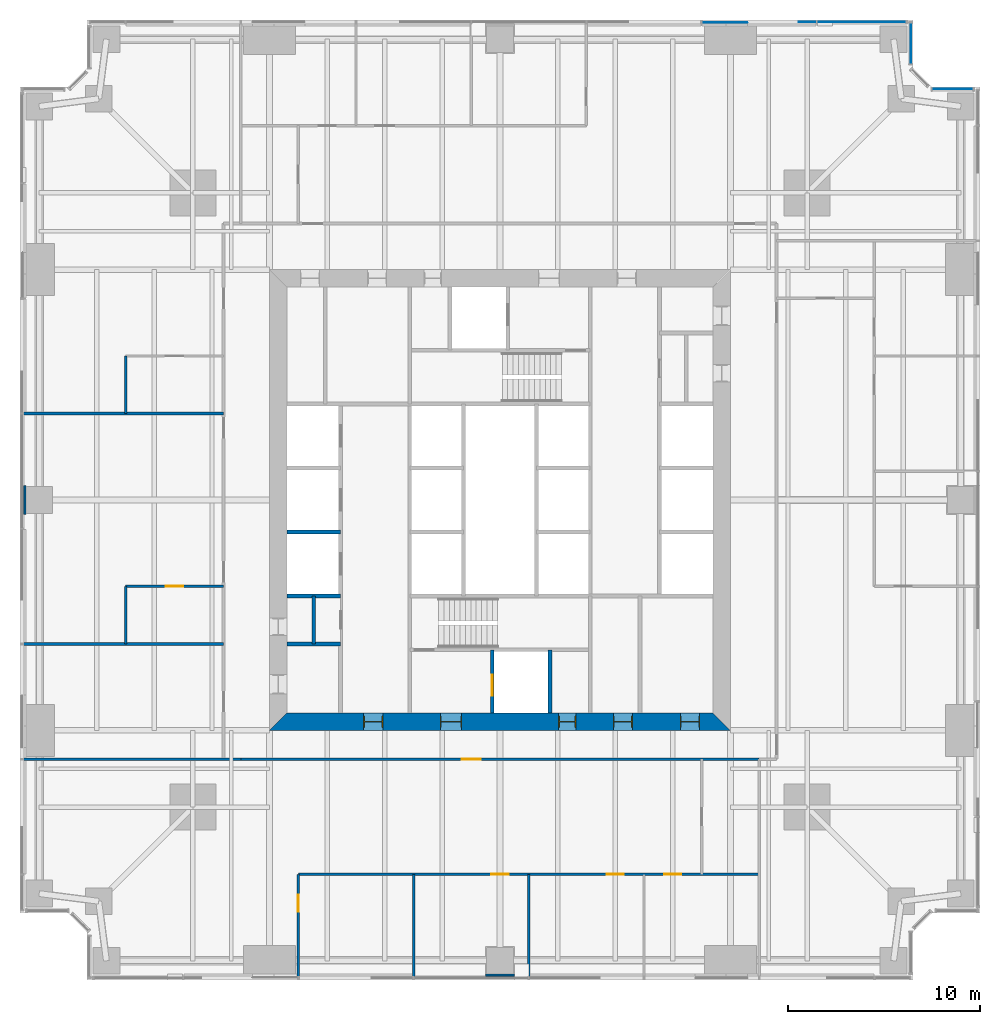
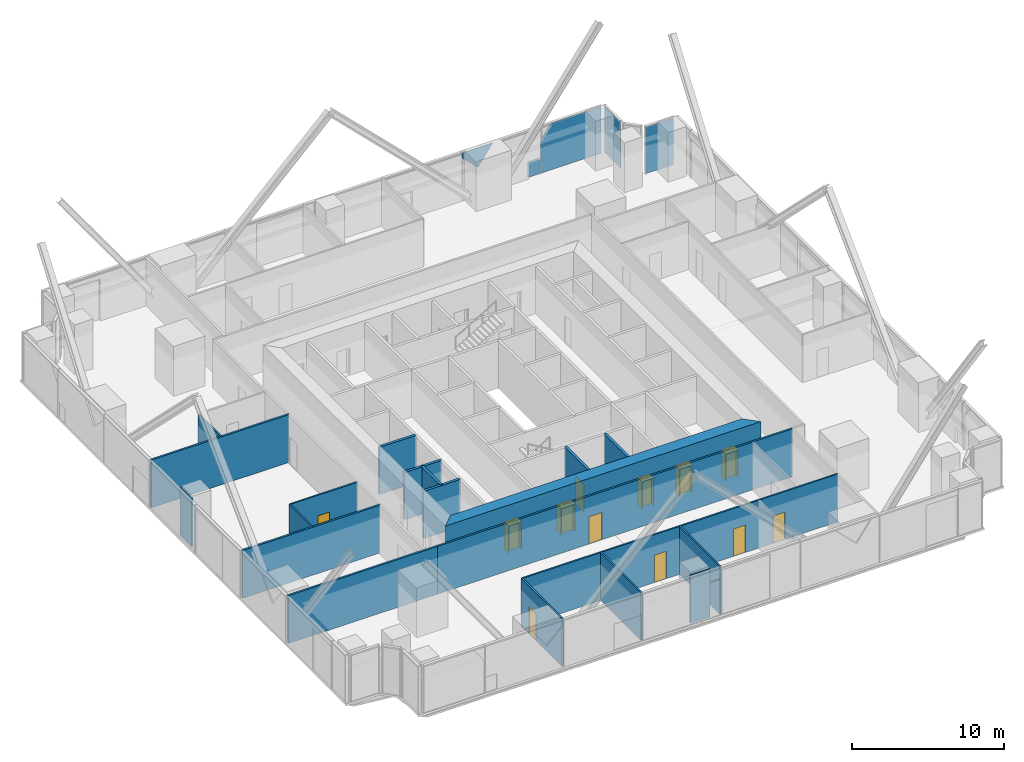
# One storey, part 9 of 14: 20 walls, 12 doors, 5 plates, 12 openings, 3 elements without a shape of their own.
"""IFC4 building model written with IfcOpenShell, lengths in metres."""

from ifc_helpers import new_model, si_unit, direction, frame, frame_2d, origin, origin_2d, place, context, subcontext, project, spatial, polyline, rectangle, outline, extrude, material, layer, layer_set, type_object, element, fill, aggregate, save


model = new_model("IFC4")

# Units and contexts
model_context = context("Model", 3, precision=1e-05, world=origin(), true_north=direction((0.0, 1.0)))
body_context = subcontext(model_context, "Body", "Model", "MODEL_VIEW")
ifc_project = project(units=[si_unit("LENGTHUNIT", "METRE"), si_unit("AREAUNIT", "SQUARE_METRE"), si_unit("VOLUMEUNIT", "CUBIC_METRE"), si_unit("PLANEANGLEUNIT", "RADIAN"), si_unit("MASSUNIT", "GRAM", prefix="KILO")], contexts=[model_context])

# Site, building, storey
site_placement = place(None, origin())
site = spatial("IfcSite", under=ifc_project, at=site_placement, CompositionType="ELEMENT")
building_placement = place(site_placement, origin())
building = spatial("IfcBuilding", under=site, at=building_placement, Name="Fenwick Lantern Interchange", CompositionType="ELEMENT")
storey_placement = place(building_placement, frame((0.0, 0.0, 79.0)))
storey = spatial("IfcBuildingStorey", under=building, at=storey_placement, Name="L18", CompositionType="ELEMENT", Elevation=79.0)

# Curtain wall, plate
ifc_material_1 = material(Name="Aluminium curtain wall frame", Category="aluminium")
curtain_wall_type = type_object("IfcCurtainWallType", Name="OFFICE CURTAIN WALL", PredefinedType="USERDEFINED", material=ifc_material_1)
curtain_wall_1_placement = place(storey_placement, origin())
curtain_wall_1 = element("IfcCurtainWall", 1, at=curtain_wall_1_placement, inside=storey, type_object=curtain_wall_type, Name="Office curtain wall 06", ObjectType="OFFICE CURTAIN WALL", PredefinedType="USERDEFINED")
ifc_material_2 = material(Name="Vision glass, clear low-iron double glazed", Category="glass")
ifc_layer_1 = layer(ifc_material_2, 0.031982421875)
ifc_layer_set_1 = layer_set([ifc_layer_1], Name="OFFICE CURTAIN WALL PANEL 32")
plate_type = type_object("IfcPlateType", Name="OFFICE CURTAIN WALL PANEL 32", PredefinedType="CURTAIN_PANEL", material=ifc_layer_set_1)
plate_1_placement = place(storey_placement, frame((48.579345703125, 46.39990234375, 0.0), z_axis=(0.0, 0.0, 1.0), x_axis=(-1.0, 0.0, 0.0)))
plate_1 = element("IfcPlate", 2, at=plate_1_placement, type_object=plate_type, Name="L18/CW/06/P00", PredefinedType="CURTAIN_PANEL", context=body_context, shape_type="SweptSolid", body=[
    extrude(rectangle(XDim=2.111328125, YDim=0.031982421875, at=origin_2d()), origin(), (0.0, 0.0, 1.0), 3.75),
])
aggregate(curtain_wall_1, [plate_1])

curtain_wall_2_placement = place(storey_placement, origin())
curtain_wall_2 = element("IfcCurtainWall", 3, at=curtain_wall_2_placement, inside=storey, type_object=curtain_wall_type, Name="Office curtain wall 08", ObjectType="OFFICE CURTAIN WALL", PredefinedType="USERDEFINED")
plate_2_placement = place(storey_placement, frame((46.39990234375, 48.779296875, 0.0), z_axis=(0.0, 0.0, 1.0), x_axis=(0.0, 1.0, 0.0)))
plate_2 = element("IfcPlate", 4, at=plate_2_placement, type_object=plate_type, Name="L18/CW/08/P00", PredefinedType="CURTAIN_PANEL", context=body_context, shape_type="SweptSolid", body=[
    extrude(rectangle(XDim=2.111328125, YDim=0.031982421875, at=origin_2d()), origin(), (0.0, 0.0, 1.0), 3.75),
])
aggregate(curtain_wall_2, [plate_2])

# Curtain wall, plates
curtain_wall_3_placement = place(storey_placement, origin())
curtain_wall_3 = element("IfcCurtainWall", 5, at=curtain_wall_3_placement, inside=storey, type_object=curtain_wall_type, Name="Office curtain wall 09", ObjectType="OFFICE CURTAIN WALL", PredefinedType="USERDEFINED")
plate_3_placement = place(storey_placement, frame((46.39990234375, 49.89990234375, 0.0), z_axis=(0.0, 0.0, 1.0), x_axis=(-1.0, 0.0, 0.0)))
plate_3 = element("IfcPlate", 6, at=plate_3_placement, type_object=plate_type, Name="L18/CW/09/P00a", PredefinedType="CURTAIN_PANEL", context=body_context, shape_type="SweptSolid", body=[
    extrude(outline(polyline([(0.264892578125, 0.0), (4.867431640625, 0.0), (4.867431640625, 2.63720703125), (4.07177734375, 3.75), (0.264892578125, 3.75), (0.264892578125, 0.0)])), frame((0.0, 0.01611328125, 0.0), z_axis=(0.0, -1.0, 0.0), x_axis=(1.0, 0.0, 0.0)), (0.0, 0.0, 1.0), 0.031982421875),
])
plate_4_placement = place(storey_placement, frame((46.39990234375, 49.89990234375, 0.0), z_axis=(0.0, 0.0, 1.0), x_axis=(-1.0, 0.0, 0.0)))
plate_4 = element("IfcPlate", 7, at=plate_4_placement, type_object=plate_type, Name="L18/CW/09/P01a", PredefinedType="CURTAIN_PANEL", context=body_context, shape_type="SweptSolid", body=[
    extrude(outline(polyline([(4.9326171875, 0.0), (5.842529296875, 0.0), (5.842529296875, 1.27392578125), (4.9326171875, 1.27392578125), (4.9326171875, 0.0)])), frame((0.0, 0.01611328125, 0.0), z_axis=(0.0, -1.0, 0.0), x_axis=(1.0, 0.0, 0.0)), (0.0, 0.0, 1.0), 0.031982421875),
])
plate_5_placement = place(storey_placement, frame((46.39990234375, 49.89990234375, 2.159912109375), z_axis=(0.0, 0.0, 1.0), x_axis=(-1.0, 0.0, 0.0)))
plate_5 = element("IfcPlate", 8, at=plate_5_placement, type_object=plate_type, Name="L18/CW/09/P01b", PredefinedType="CURTAIN_PANEL", context=body_context, shape_type="SweptSolid", body=[
    extrude(outline(polyline([(9.634765625, 0.0), (10.867431640625, 1.220947265625), (10.867431640625, 1.590087890625), (8.49755859375, 1.590087890625), (9.634765625, 0.0)])), frame((0.0, 0.0498046875, 0.0), z_axis=(0.0, -1.0, 0.0), x_axis=(1.0, 0.0, 0.0)), (0.0, 0.0, 1.0), 0.031982421875),
])
aggregate(curtain_wall_3, [plate_3, plate_4, plate_5])

# Walls
ifc_material_3 = material(Name="Fire-rated gypsum board encasement on steel studs, 2 hour", Category="steel")
ifc_layer_2 = layer(ifc_material_3, 1.5)
ifc_layer_set_2 = layer_set([ifc_layer_2], Name="COLUMN PIER 1500")
wall_type_1 = type_object("IfcWallType", Name="COLUMN PIER 1500", PredefinedType="PARTITIONING", material=ifc_layer_set_2)
for number, where, z_axis, x_axis, name in (
    (9, (25.0, 0.199951171875, 0.0), (0.0, 0.0, 1.0), (0.0, 1.0, 0.0), "L18/W/PIER/CS3"),
    (10, (0.199951171875, 25.0, 0.0), (0.0, 0.0, 1.0), (1.0, 0.0, 0.0), "L18/W/PIER/CW3"),
):
    element("IfcWall", number, at=place(storey_placement, frame(where, z_axis=z_axis, x_axis=x_axis)), inside=storey, type_object=wall_type_1, Name=name, PredefinedType="PARTITIONING", context=body_context, shape_type="SweptSolid", body=[
        extrude(rectangle(XDim=0.10009765625, YDim=1.5, at=frame_2d((0.050048828125, 0.0))), origin(), (0.0, 0.0, 1.0), 3.85009765625),
    ])
ifc_material_4 = material(Name="Concrete masonry ASTM C90 Grade N", Category="masonry")
ifc_layer_3 = layer(ifc_material_4, 0.199951171875)
ifc_layer_set_3 = layer_set([ifc_layer_3], Name="Concrete masonry ASTM C90 Grade N")
wall_type_2 = type_object("IfcWallType", Name="CORE PARTITION 200", PredefinedType="PARTITIONING", material=ifc_layer_set_3)
for number, where, z_axis, x_axis, name in (
    (11, (13.89990234375, 20.0, 0.0), (0.0, 0.0, 1.0), (1.0, 0.0, 0.0), "L18/W/CORES/c2"),
    (12, (13.89990234375, 23.333251953125, 0.0), (0.0, 0.0, 1.0), (1.0, 0.0, 0.0), "L18/W/CORES/d1"),
):
    element("IfcWall", number, at=place(storey_placement, frame(where, z_axis=z_axis, x_axis=x_axis)), inside=storey, type_object=wall_type_2, Name=name, PredefinedType="PARTITIONING", context=body_context, shape_type="SweptSolid", body=[
        extrude(rectangle(XDim=2.800048828125, YDim=0.199951171875, at=frame_2d((1.39990234375, 0.0))), origin(), (0.0, 0.0, 1.0), 3.800048828125),
    ])

# Wall, opening, door
wall_1_placement = place(storey_placement, frame((24.60009765625, 13.89990234375, 0.0), z_axis=(0.0, 0.0, 1.0), x_axis=(0.0, 1.0, 0.0)))
wall_1 = element("IfcWall", 13, at=wall_1_placement, inside=storey, type_object=wall_type_2, Name="L18/W/CORES/h1", PredefinedType="PARTITIONING", context=body_context, shape_type="SweptSolid", body=[
    extrude(rectangle(XDim=3.300048828125, YDim=0.199951171875, at=frame_2d((1.64990234375, 0.0))), origin(), (0.0, 0.0, 1.0), 3.800048828125),
])
opening_1_placement = place(wall_1_placement, frame((0.89990234375, 0.0, 0.0)))
opening_1 = element("IfcOpeningElement", 14, at=opening_1_placement, cuts=wall_1, Name="Opening LD-FL1", PredefinedType="OPENING", context=body_context, shape_type="SweptSolid", body=[
    extrude(rectangle(XDim=1.10009765625, YDim=2.199951171875, at=frame_2d((0.550048828125, 1.10009765625))), frame((0.0, 0.10986328125, 0.0), z_axis=(0.0, -1.0, 0.0), x_axis=(1.0, 0.0, 0.0)), (0.0, 0.0, 1.0), 0.219970703125),
])
ifc_material_5 = material(Name="Steel door and frame", Category="steel")
door_type_1 = type_object("IfcDoorType", Name="LIFT LANDING DOOR 1100 X 2200", OperationType="DOUBLE_DOOR_SLIDING", PredefinedType="DOOR", material=ifc_material_5)
door_1_placement = place(opening_1_placement, origin())
door_1 = element("IfcDoor", 15, at=door_1_placement, inside=storey, type_object=door_type_1, Name="Lift landing door FL1", OperationType="DOUBLE_DOOR_SLIDING", OverallHeight=2.199951171875, OverallWidth=1.10009765625, PredefinedType="DOOR", context=body_context, shape_type="SweptSolid", body=[
    extrude(rectangle(XDim=1.10009765625, YDim=2.199951171875, at=frame_2d((0.550048828125, 1.10009765625))), frame((0.0, 0.02490234375, 0.0), z_axis=(0.0, -1.0, 0.0), x_axis=(1.0, 0.0, 0.0)), (0.0, 0.0, 1.0), 0.050048828125),
])
fill(opening_1, door_1)

# Walls
wall_2_placement = place(storey_placement, frame((27.60009765625, 13.89990234375, 0.0), z_axis=(0.0, 0.0, 1.0), x_axis=(0.0, 1.0, 0.0)))
element("IfcWall", 16, at=wall_2_placement, inside=storey, type_object=wall_type_2, Name="L18/W/CORES/h2", PredefinedType="PARTITIONING", context=body_context, shape_type="SweptSolid", body=[
    extrude(rectangle(XDim=3.300048828125, YDim=0.199951171875, at=frame_2d((1.64990234375, 0.0))), origin(), (0.0, 0.0, 1.0), 3.800048828125),
])
wall_3_placement = place(storey_placement, frame((13.89990234375, 17.5, 0.0), z_axis=(0.0, 0.0, 1.0), x_axis=(1.0, 0.0, 0.0)))
element("IfcWall", 17, at=wall_3_placement, inside=storey, type_object=wall_type_2, Name="L18/W/CORES/p1", PredefinedType="PARTITIONING", context=body_context, shape_type="SweptSolid", body=[
    extrude(rectangle(XDim=2.800048828125, YDim=0.199951171875, at=frame_2d((1.39990234375, 0.0))), origin(), (0.0, 0.0, 1.0), 3.800048828125),
])
wall_4_placement = place(storey_placement, frame((15.300048828125, 17.5, 0.0), z_axis=(0.0, 0.0, 1.0), x_axis=(0.0, 1.0, 0.0)))
element("IfcWall", 18, at=wall_4_placement, inside=storey, type_object=wall_type_2, Name="L18/W/CORES/px", PredefinedType="PARTITIONING", context=body_context, shape_type="SweptSolid", body=[
    extrude(rectangle(XDim=2.5, YDim=0.199951171875, at=frame_2d((1.25, 0.0))), origin(), (0.0, 0.0, 1.0), 3.800048828125),
])

# Wall, openings, doors
ifc_material_6 = material(Name="Concrete f'c 70 MPa", Category="concrete")
ifc_layer_4 = layer(ifc_material_6, 0.89990234375)
ifc_layer_set_4 = layer_set([ifc_layer_4], Name="CORE WALL 900")
wall_type_3 = type_object("IfcWallType", Name="CORE WALL 900", PredefinedType="SHEAR", material=ifc_layer_set_4)
wall_5_placement = place(storey_placement, frame((13.0, 13.449951171875, 0.0), z_axis=(0.0, 0.0, 1.0), x_axis=(1.0, 0.0, 0.0)))
wall_5 = element("IfcWall", 19, at=wall_5_placement, inside=storey, type_object=wall_type_3, Name="L18/CORE/S", PredefinedType="SHEAR", context=body_context, shape_type="SweptSolid", body=[
    extrude(outline(polyline([(0.0, -0.449951171875), (24.0, -0.449951171875), (23.10009765625, 0.449951171875), (0.89990234375, 0.449951171875), (0.0, -0.449951171875)])), origin(), (0.0, 0.0, 1.0), 4.0),
])
opening_2_placement = place(wall_5_placement, frame((4.89990234375, 0.0, 0.0)))
opening_2 = element("IfcOpeningElement", 20, at=opening_2_placement, cuts=wall_5, Name="Opening L18-D001", PredefinedType="OPENING", context=body_context, shape_type="SweptSolid", body=[
    extrude(rectangle(XDim=1.0, YDim=2.199951171875, at=frame_2d((0.5, 1.10009765625))), frame((0.0, 0.4599609375, 0.0), z_axis=(0.0, -1.0, 0.0), x_axis=(1.0, 0.0, 0.0)), (0.0, 0.0, 1.0), 0.919921875),
])
opening_3_placement = place(wall_5_placement, frame((8.89990234375, 0.0, 0.0)))
opening_3 = element("IfcOpeningElement", 21, at=opening_3_placement, cuts=wall_5, Name="Opening L18-D002", PredefinedType="OPENING", context=body_context, shape_type="SweptSolid", body=[
    extrude(rectangle(XDim=1.10009765625, YDim=2.199951171875, at=frame_2d((0.550048828125, 1.10009765625))), frame((0.0, 0.4599609375, 0.0), z_axis=(0.0, -1.0, 0.0), x_axis=(1.0, 0.0, 0.0)), (0.0, 0.0, 1.0), 0.919921875),
])
opening_4_placement = place(wall_5_placement, frame((15.050048828125, 0.0, 0.0)))
opening_4 = element("IfcOpeningElement", 22, at=opening_4_placement, cuts=wall_5, Name="Opening L18-D004", PredefinedType="OPENING", context=body_context, shape_type="SweptSolid", body=[
    extrude(rectangle(XDim=0.89990234375, YDim=2.199951171875, at=frame_2d((0.449951171875, 1.10009765625))), frame((0.0, 0.4599609375, 0.0), z_axis=(0.0, -1.0, 0.0), x_axis=(1.0, 0.0, 0.0)), (0.0, 0.0, 1.0), 0.919921875),
])
opening_5_placement = place(wall_5_placement, frame((17.89990234375, 0.0, 0.0)))
opening_5 = element("IfcOpeningElement", 23, at=opening_5_placement, cuts=wall_5, Name="Opening L18-D005", PredefinedType="OPENING", context=body_context, shape_type="SweptSolid", body=[
    extrude(rectangle(XDim=1.0, YDim=2.199951171875, at=frame_2d((0.5, 1.10009765625))), frame((0.0, 0.4599609375, 0.0), z_axis=(0.0, -1.0, 0.0), x_axis=(1.0, 0.0, 0.0)), (0.0, 0.0, 1.0), 0.919921875),
])
opening_6_placement = place(wall_5_placement, frame((21.39990234375, 0.0, 0.0)))
opening_6 = element("IfcOpeningElement", 24, at=opening_6_placement, cuts=wall_5, Name="Opening L18-D006", PredefinedType="OPENING", context=body_context, shape_type="SweptSolid", body=[
    extrude(rectangle(XDim=1.0, YDim=2.199951171875, at=frame_2d((0.5, 1.10009765625))), frame((0.0, 0.4599609375, 0.0), z_axis=(0.0, -1.0, 0.0), x_axis=(1.0, 0.0, 0.0)), (0.0, 0.0, 1.0), 0.919921875),
])
door_type_2 = type_object("IfcDoorType", Name="CORE LOBBY DOOR 1000 X 2200", OperationType="SINGLE_SWING_LEFT", PredefinedType="DOOR", material=ifc_material_5)
door_2_placement = place(opening_2_placement, origin())
door_2 = element("IfcDoor", 25, at=door_2_placement, inside=storey, type_object=door_type_2, Name="Core lobby door", OperationType="SINGLE_SWING_LEFT", OverallHeight=2.199951171875, OverallWidth=1.0, PredefinedType="DOOR", context=body_context, shape_type="SweptSolid", body=[
    extrude(rectangle(XDim=1.0, YDim=2.199951171875, at=frame_2d((0.5, 1.10009765625))), frame((0.0, 0.02490234375, 0.0), z_axis=(0.0, -1.0, 0.0), x_axis=(1.0, 0.0, 0.0)), (0.0, 0.0, 1.0), 0.050048828125),
    extrude(outline(polyline([(0.0, 0.0), (0.0400390625, 0.0), (0.0400390625, 2.159912109375), (0.9599609375, 2.159912109375), (0.9599609375, 0.0), (1.0, 0.0), (1.0, 2.199951171875), (0.0, 2.199951171875), (0.0, 0.0)])), frame((0.0, 0.300048828125, 0.0), z_axis=(0.0, -1.0, 0.0), x_axis=(1.0, 0.0, 0.0)), (0.0, 0.0, 1.0), 0.60009765625),
])
fill(opening_2, door_2)
door_type_3 = type_object("IfcDoorType", Name="FIRE LOBBY DOOR 1100 X 2200", OperationType="SINGLE_SWING_LEFT", PredefinedType="DOOR", material=ifc_material_5)
door_3_placement = place(opening_3_placement, origin())
door_3 = element("IfcDoor", 26, at=door_3_placement, inside=storey, type_object=door_type_3, Name="Fire lobby door", OperationType="SINGLE_SWING_LEFT", OverallHeight=2.199951171875, OverallWidth=1.10009765625, PredefinedType="DOOR", context=body_context, shape_type="SweptSolid", body=[
    extrude(rectangle(XDim=1.10009765625, YDim=2.199951171875, at=frame_2d((0.550048828125, 1.10009765625))), frame((0.0, 0.02490234375, 0.0), z_axis=(0.0, -1.0, 0.0), x_axis=(1.0, 0.0, 0.0)), (0.0, 0.0, 1.0), 0.050048828125),
    extrude(outline(polyline([(0.0, 0.0), (0.0400390625, 0.0), (0.0400390625, 2.159912109375), (1.06005859375, 2.159912109375), (1.06005859375, 0.0), (1.10009765625, 0.0), (1.10009765625, 2.199951171875), (0.0, 2.199951171875), (0.0, 0.0)])), frame((0.0, 0.300048828125, 0.0), z_axis=(0.0, -1.0, 0.0), x_axis=(1.0, 0.0, 0.0)), (0.0, 0.0, 1.0), 0.60009765625),
])
fill(opening_3, door_3)
door_type_4 = type_object("IfcDoorType", Name="SERVICE DOOR 900 X 2200", OperationType="SINGLE_SWING_LEFT", PredefinedType="DOOR", material=ifc_material_5)
door_4_placement = place(opening_4_placement, origin())
door_4 = element("IfcDoor", 27, at=door_4_placement, inside=storey, type_object=door_type_4, Name="Service door", OperationType="SINGLE_SWING_LEFT", OverallHeight=2.199951171875, OverallWidth=0.89990234375, PredefinedType="DOOR", context=body_context, shape_type="SweptSolid", body=[
    extrude(rectangle(XDim=0.89990234375, YDim=2.199951171875, at=frame_2d((0.449951171875, 1.10009765625))), frame((0.0, 0.02490234375, 0.0), z_axis=(0.0, -1.0, 0.0), x_axis=(1.0, 0.0, 0.0)), (0.0, 0.0, 1.0), 0.050048828125),
    extrude(outline(polyline([(0.0, 0.0), (0.0400390625, 0.0), (0.0400390625, 2.159912109375), (0.85986328125, 2.159912109375), (0.85986328125, 0.0), (0.89990234375, 0.0), (0.89990234375, 2.199951171875), (0.0, 2.199951171875), (0.0, 0.0)])), frame((0.0, 0.300048828125, 0.0), z_axis=(0.0, -1.0, 0.0), x_axis=(1.0, 0.0, 0.0)), (0.0, 0.0, 1.0), 0.60009765625),
])
fill(opening_4, door_4)
ifc_material_7 = material(Name="Hardwood door and steel frame", Category="steel")
door_type_5 = type_object("IfcDoorType", Name="WC DOOR 1000 X 2200", OperationType="SINGLE_SWING_LEFT", PredefinedType="DOOR", material=ifc_material_7)
door_5_placement = place(opening_5_placement, origin())
door_5 = element("IfcDoor", 28, at=door_5_placement, inside=storey, type_object=door_type_5, Name="Wc door", OperationType="SINGLE_SWING_RIGHT", OverallHeight=2.199951171875, OverallWidth=1.0, PredefinedType="DOOR", context=body_context, shape_type="SweptSolid", body=[
    extrude(rectangle(XDim=1.0, YDim=2.199951171875, at=frame_2d((0.5, 1.10009765625))), frame((0.0, 0.02490234375, 0.0), z_axis=(0.0, -1.0, 0.0), x_axis=(1.0, 0.0, 0.0)), (0.0, 0.0, 1.0), 0.050048828125),
    extrude(outline(polyline([(0.0, 0.0), (0.0400390625, 0.0), (0.0400390625, 2.159912109375), (0.9599609375, 2.159912109375), (0.9599609375, 0.0), (1.0, 0.0), (1.0, 2.199951171875), (0.0, 2.199951171875), (0.0, 0.0)])), frame((0.0, 0.300048828125, 0.0), z_axis=(0.0, -1.0, 0.0), x_axis=(1.0, 0.0, 0.0)), (0.0, 0.0, 1.0), 0.60009765625),
])
fill(opening_5, door_5)
door_6_placement = place(opening_6_placement, origin())
door_6 = element("IfcDoor", 29, at=door_6_placement, inside=storey, type_object=door_type_5, Name="Wc door", OperationType="SINGLE_SWING_RIGHT", OverallHeight=2.199951171875, OverallWidth=1.0, PredefinedType="DOOR", context=body_context, shape_type="SweptSolid", body=[
    extrude(rectangle(XDim=1.0, YDim=2.199951171875, at=frame_2d((0.5, 1.10009765625))), frame((0.0, 0.02490234375, 0.0), z_axis=(0.0, -1.0, 0.0), x_axis=(1.0, 0.0, 0.0)), (0.0, 0.0, 1.0), 0.050048828125),
    extrude(outline(polyline([(0.0, 0.0), (0.0400390625, 0.0), (0.0400390625, 2.159912109375), (0.9599609375, 2.159912109375), (0.9599609375, 0.0), (1.0, 0.0), (1.0, 2.199951171875), (0.0, 2.199951171875), (0.0, 0.0)])), frame((0.0, 0.300048828125, 0.0), z_axis=(0.0, -1.0, 0.0), x_axis=(1.0, 0.0, 0.0)), (0.0, 0.0, 1.0), 0.60009765625),
])
fill(opening_6, door_6)

# Wall, opening, door
ifc_material_8 = material(Name="Gypsum board on steel studs, 1 hour", Category="steel")
ifc_layer_5 = layer(ifc_material_8, 0.14990234375)
ifc_layer_set_5 = layer_set([ifc_layer_5], Name="CORRIDOR WALL 150")
wall_type_4 = type_object("IfcWallType", Name="CORRIDOR WALL 150", PredefinedType="PARTITIONING", material=ifc_layer_set_5)
wall_6_placement = place(storey_placement, frame((11.5, 11.5, 0.0), z_axis=(0.0, 0.0, 1.0), x_axis=(1.0, 0.0, 0.0)))
wall_6 = element("IfcWall", 30, at=wall_6_placement, inside=storey, type_object=wall_type_4, Name="L18/W/OFF/S/CW", PredefinedType="PARTITIONING", context=body_context, shape_type="SweptSolid", body=[
    extrude(rectangle(XDim=27.0, YDim=0.14990234375, at=frame_2d((13.5, 0.0))), origin(), (0.0, 0.0, 1.0), 3.85009765625),
])
opening_7_placement = place(wall_6_placement, frame((11.5, 0.0, 0.0)))
opening_7 = element("IfcOpeningElement", 31, at=opening_7_placement, cuts=wall_6, Name="Opening L18-D019", PredefinedType="OPENING", context=body_context, shape_type="SweptSolid", body=[
    extrude(rectangle(XDim=1.0, YDim=2.199951171875, at=frame_2d((0.5, 1.10009765625))), frame((0.0, 0.0849609375, 0.0), z_axis=(0.0, -1.0, 0.0), x_axis=(1.0, 0.0, 0.0)), (0.0, 0.0, 1.0), 0.169921875),
])
door_type_6 = type_object("IfcDoorType", Name="SUITE ENTRANCE DOOR 1000 X 2200", OperationType="SINGLE_SWING_LEFT", PredefinedType="DOOR", material=ifc_material_5)
door_7_placement = place(opening_7_placement, frame((1.0, 0.0, 0.0), z_axis=(0.0, 0.0, 1.0), x_axis=(-1.0, 0.0, 0.0)))
door_7 = element("IfcDoor", 32, at=door_7_placement, inside=storey, type_object=door_type_6, Name="Suite entrance door", OperationType="SINGLE_SWING_LEFT", OverallHeight=2.199951171875, OverallWidth=1.0, PredefinedType="DOOR", context=body_context, shape_type="SweptSolid", body=[
    extrude(rectangle(XDim=1.0, YDim=2.199951171875, at=frame_2d((0.5, 1.10009765625))), frame((0.0, 0.02490234375, 0.0), z_axis=(0.0, -1.0, 0.0), x_axis=(1.0, 0.0, 0.0)), (0.0, 0.0, 1.0), 0.050048828125),
])
fill(opening_7, door_7)

ifc_material_9 = material(Name="Gypsum board on steel studs, acoustic", Category="steel")
ifc_layer_6 = layer(ifc_material_9, 0.125)
ifc_layer_set_6 = layer_set([ifc_layer_6], Name="OFFICE PARTITION 125")
wall_type_5 = type_object("IfcWallType", Name="OFFICE PARTITION 125", PredefinedType="PARTITIONING", material=ifc_layer_set_6)
wall_7_placement = place(storey_placement, frame((14.5, 0.14990234375, 0.0), z_axis=(0.0, 0.0, 1.0), x_axis=(0.0, 1.0, 0.0)))
wall_7 = element("IfcWall", 33, at=wall_7_placement, inside=storey, type_object=wall_type_5, Name="L18/W/OFF/S/X145-1", PredefinedType="PARTITIONING", context=body_context, shape_type="SweptSolid", body=[
    extrude(rectangle(XDim=5.35009765625, YDim=0.125, at=frame_2d((2.675048828125, 0.0))), origin(), (0.0, 0.0, 1.0), 3.85009765625),
])
opening_8_placement = place(wall_7_placement, frame((3.39990234375, 0.0, 0.0)))
opening_8 = element("IfcOpeningElement", 34, at=opening_8_placement, cuts=wall_7, Name="Opening L18-D020", PredefinedType="OPENING", context=body_context, shape_type="SweptSolid", body=[
    extrude(rectangle(XDim=0.89990234375, YDim=2.199951171875, at=frame_2d((0.449951171875, 1.10009765625))), frame((0.0, 0.072509765625, 0.0), z_axis=(0.0, -1.0, 0.0), x_axis=(1.0, 0.0, 0.0)), (0.0, 0.0, 1.0), 0.14501953125),
])
door_type_7 = type_object("IfcDoorType", Name="OFFICE DOOR 900 X 2200", OperationType="SINGLE_SWING_LEFT", PredefinedType="DOOR", material=ifc_material_7)
door_8_placement = place(opening_8_placement, frame((0.89990234375, 0.0, 0.0), z_axis=(0.0, 0.0, 1.0), x_axis=(-1.0, 0.0, 0.0)))
door_8 = element("IfcDoor", 35, at=door_8_placement, inside=storey, type_object=door_type_7, Name="Office door", OperationType="SINGLE_SWING_LEFT", OverallHeight=2.199951171875, OverallWidth=0.89990234375, PredefinedType="DOOR", context=body_context, shape_type="SweptSolid", body=[
    extrude(rectangle(XDim=0.89990234375, YDim=2.199951171875, at=frame_2d((0.449951171875, 1.10009765625))), frame((0.0, 0.02490234375, 0.0), z_axis=(0.0, -1.0, 0.0), x_axis=(1.0, 0.0, 0.0)), (0.0, 0.0, 1.0), 0.050048828125),
])
fill(opening_8, door_8)

# Walls
for number, where, z_axis, x_axis, name in (
    (36, (20.5, 0.14990234375, 0.0), (0.0, 0.0, 1.0), (0.0, 1.0, 0.0), "L18/W/OFF/S/X205-1"),
    (37, (26.5, 0.14990234375, 0.0), (0.0, 0.0, 1.0), (0.0, 1.0, 0.0), "L18/W/OFF/S/X265-1"),
):
    element("IfcWall", number, at=place(storey_placement, frame(where, z_axis=z_axis, x_axis=x_axis)), inside=storey, type_object=wall_type_5, Name=name, PredefinedType="PARTITIONING", context=body_context, shape_type="SweptSolid", body=[
        extrude(rectangle(XDim=5.35009765625, YDim=0.125, at=frame_2d((2.675048828125, 0.0))), origin(), (0.0, 0.0, 1.0), 3.85009765625),
    ])

# Wall, openings, doors
wall_8_placement = place(storey_placement, frame((14.5, 5.5, 0.0), z_axis=(0.0, 0.0, 1.0), x_axis=(1.0, 0.0, 0.0)))
wall_8 = element("IfcWall", 38, at=wall_8_placement, inside=storey, type_object=wall_type_5, Name="L18/W/OFF/S/Y55-1", PredefinedType="PARTITIONING", context=body_context, shape_type="SweptSolid", body=[
    extrude(rectangle(XDim=24.0, YDim=0.125, at=frame_2d((12.0, 0.0))), origin(), (0.0, 0.0, 1.0), 3.85009765625),
])
opening_9_placement = place(wall_8_placement, frame((10.050048828125, 0.0, 0.0)))
opening_9 = element("IfcOpeningElement", 39, at=opening_9_placement, cuts=wall_8, Name="Opening L18-D021", PredefinedType="OPENING", context=body_context, shape_type="SweptSolid", body=[
    extrude(rectangle(XDim=0.89990234375, YDim=2.199951171875, at=frame_2d((0.449951171875, 1.10009765625))), frame((0.0, 0.072509765625, 0.0), z_axis=(0.0, -1.0, 0.0), x_axis=(1.0, 0.0, 0.0)), (0.0, 0.0, 1.0), 0.14501953125),
])
opening_10_placement = place(wall_8_placement, frame((16.050048828125, 0.0, 0.0)))
opening_10 = element("IfcOpeningElement", 40, at=opening_10_placement, cuts=wall_8, Name="Opening L18-D022", PredefinedType="OPENING", context=body_context, shape_type="SweptSolid", body=[
    extrude(rectangle(XDim=0.89990234375, YDim=2.199951171875, at=frame_2d((0.449951171875, 1.10009765625))), frame((0.0, 0.072509765625, 0.0), z_axis=(0.0, -1.0, 0.0), x_axis=(1.0, 0.0, 0.0)), (0.0, 0.0, 1.0), 0.14501953125),
])
opening_11_placement = place(wall_8_placement, frame((19.050048828125, 0.0, 0.0)))
opening_11 = element("IfcOpeningElement", 41, at=opening_11_placement, cuts=wall_8, Name="Opening L18-D023", PredefinedType="OPENING", context=body_context, shape_type="SweptSolid", body=[
    extrude(rectangle(XDim=0.89990234375, YDim=2.199951171875, at=frame_2d((0.449951171875, 1.10009765625))), frame((0.0, 0.072509765625, 0.0), z_axis=(0.0, -1.0, 0.0), x_axis=(1.0, 0.0, 0.0)), (0.0, 0.0, 1.0), 0.14501953125),
])
door_9_placement = place(opening_9_placement, frame((0.89990234375, 0.0, 0.0), z_axis=(0.0, 0.0, 1.0), x_axis=(-1.0, 0.0, 0.0)))
door_9 = element("IfcDoor", 42, at=door_9_placement, inside=storey, type_object=door_type_7, Name="Office door", OperationType="SINGLE_SWING_LEFT", OverallHeight=2.199951171875, OverallWidth=0.89990234375, PredefinedType="DOOR", context=body_context, shape_type="SweptSolid", body=[
    extrude(rectangle(XDim=0.89990234375, YDim=2.199951171875, at=frame_2d((0.449951171875, 1.10009765625))), frame((0.0, 0.02490234375, 0.0), z_axis=(0.0, -1.0, 0.0), x_axis=(1.0, 0.0, 0.0)), (0.0, 0.0, 1.0), 0.050048828125),
])
fill(opening_9, door_9)
door_10_placement = place(opening_10_placement, frame((0.89990234375, 0.0, 0.0), z_axis=(0.0, 0.0, 1.0), x_axis=(-1.0, 0.0, 0.0)))
door_10 = element("IfcDoor", 43, at=door_10_placement, inside=storey, type_object=door_type_7, Name="Office door", OperationType="SINGLE_SWING_LEFT", OverallHeight=2.199951171875, OverallWidth=0.89990234375, PredefinedType="DOOR", context=body_context, shape_type="SweptSolid", body=[
    extrude(rectangle(XDim=0.89990234375, YDim=2.199951171875, at=frame_2d((0.449951171875, 1.10009765625))), frame((0.0, 0.02490234375, 0.0), z_axis=(0.0, -1.0, 0.0), x_axis=(1.0, 0.0, 0.0)), (0.0, 0.0, 1.0), 0.050048828125),
])
fill(opening_10, door_10)
door_11_placement = place(opening_11_placement, frame((0.89990234375, 0.0, 0.0), z_axis=(0.0, 0.0, 1.0), x_axis=(-1.0, 0.0, 0.0)))
door_11 = element("IfcDoor", 44, at=door_11_placement, inside=storey, type_object=door_type_7, Name="Office door", OperationType="SINGLE_SWING_RIGHT", OverallHeight=2.199951171875, OverallWidth=0.89990234375, PredefinedType="DOOR", context=body_context, shape_type="SweptSolid", body=[
    extrude(rectangle(XDim=0.89990234375, YDim=2.199951171875, at=frame_2d((0.449951171875, 1.10009765625))), frame((0.0, 0.02490234375, 0.0), z_axis=(0.0, -1.0, 0.0), x_axis=(1.0, 0.0, 0.0)), (0.0, 0.0, 1.0), 0.050048828125),
])
fill(opening_11, door_11)

# Wall, opening, door
wall_9_placement = place(storey_placement, frame((5.5, 20.5, 0.0), z_axis=(0.0, 0.0, 1.0), x_axis=(1.0, 0.0, 0.0)))
wall_9 = element("IfcWall", 45, at=wall_9_placement, inside=storey, type_object=wall_type_5, Name="L18/W/OFF/W/X295-1", PredefinedType="PARTITIONING", context=body_context, shape_type="SweptSolid", body=[
    extrude(rectangle(XDim=5.10009765625, YDim=0.125, at=frame_2d((2.550048828125, 0.0))), origin(), (0.0, 0.0, 1.0), 3.85009765625),
])
opening_12_placement = place(wall_9_placement, frame((2.10009765625, 0.0, 0.0)))
opening_12 = element("IfcOpeningElement", 46, at=opening_12_placement, cuts=wall_9, Name="Opening L18-D041", PredefinedType="OPENING", context=body_context, shape_type="SweptSolid", body=[
    extrude(rectangle(XDim=0.89990234375, YDim=2.199951171875, at=frame_2d((0.449951171875, 1.10009765625))), frame((0.0, 0.072509765625, 0.0), z_axis=(0.0, -1.0, 0.0), x_axis=(1.0, 0.0, 0.0)), (0.0, 0.0, 1.0), 0.14501953125),
])
door_12_placement = place(opening_12_placement, frame((0.89990234375, 0.0, 0.0), z_axis=(0.0, 0.0, 1.0), x_axis=(-1.0, 0.0, 0.0)))
door_12 = element("IfcDoor", 47, at=door_12_placement, inside=storey, type_object=door_type_7, Name="Office door", OperationType="SINGLE_SWING_RIGHT", OverallHeight=2.199951171875, OverallWidth=0.89990234375, PredefinedType="DOOR", context=body_context, shape_type="SweptSolid", body=[
    extrude(rectangle(XDim=0.89990234375, YDim=2.199951171875, at=frame_2d((0.449951171875, 1.10009765625))), frame((0.0, 0.02490234375, 0.0), z_axis=(0.0, -1.0, 0.0), x_axis=(1.0, 0.0, 0.0)), (0.0, 0.0, 1.0), 0.050048828125),
])
fill(opening_12, door_12)

# Walls
for number, where, z_axis, x_axis, name in (
    (48, (5.5, 32.5, 0.0), (0.0, 0.0, 1.0), (0.0, -1.0, 0.0), "L18/W/OFF/W/Y55-1"),
    (49, (5.5, 20.5, 0.0), (0.0, 0.0, 1.0), (0.0, -1.0, 0.0), "L18/W/OFF/W/Y55-2"),
):
    element("IfcWall", number, at=place(storey_placement, frame(where, z_axis=z_axis, x_axis=x_axis)), inside=storey, type_object=wall_type_5, Name=name, PredefinedType="PARTITIONING", context=body_context, shape_type="SweptSolid", body=[
        extrude(rectangle(XDim=3.0, YDim=0.125, at=frame_2d((1.5, 0.0))), origin(), (0.0, 0.0, 1.0), 3.85009765625),
    ])
ifc_material_10 = material(Name="Gypsum board on steel studs, 1 hour acoustic", Category="steel")
ifc_layer_7 = layer(ifc_material_10, 0.14990234375)
ifc_layer_set_7 = layer_set([ifc_layer_7], Name="TENANT WALL 150")
wall_type_6 = type_object("IfcWallType", Name="TENANT WALL 150", PredefinedType="PARTITIONING", material=ifc_layer_set_7)
wall_10_placement = place(storey_placement, frame((0.14990234375, 11.5, 0.0), z_axis=(0.0, 0.0, 1.0), x_axis=(1.0, 0.0, 0.0)))
element("IfcWall", 50, at=wall_10_placement, inside=storey, type_object=wall_type_6, Name="L18/W/OFF/S/BACK", PredefinedType="PARTITIONING", context=body_context, shape_type="SweptSolid", body=[
    extrude(rectangle(XDim=11.35009765625, YDim=0.14990234375, at=frame_2d((5.675048828125, 0.0))), origin(), (0.0, 0.0, 1.0), 3.85009765625),
])
for number, where, z_axis, x_axis, name in (
    (51, (0.14990234375, 29.5, 0.0), (0.0, 0.0, 1.0), (1.0, 0.0, 0.0), "L18/W/OFF/W/X205-1"),
    (52, (0.14990234375, 17.5, 0.0), (0.0, 0.0, 1.0), (1.0, 0.0, 0.0), "L18/W/OFF/W/X325-1"),
):
    element("IfcWall", number, at=place(storey_placement, frame(where, z_axis=z_axis, x_axis=x_axis)), inside=storey, type_object=wall_type_6, Name=name, PredefinedType="PARTITIONING", context=body_context, shape_type="SweptSolid", body=[
        extrude(rectangle(XDim=10.4501953125, YDim=0.14990234375, at=frame_2d((5.22509765625, 0.0))), origin(), (0.0, 0.0, 1.0), 3.85009765625),
    ])

save(model, "model.ifc")
